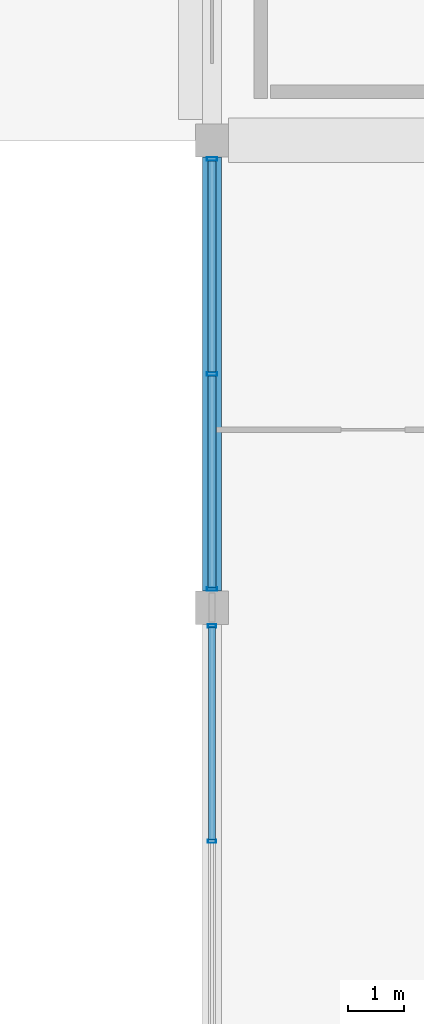
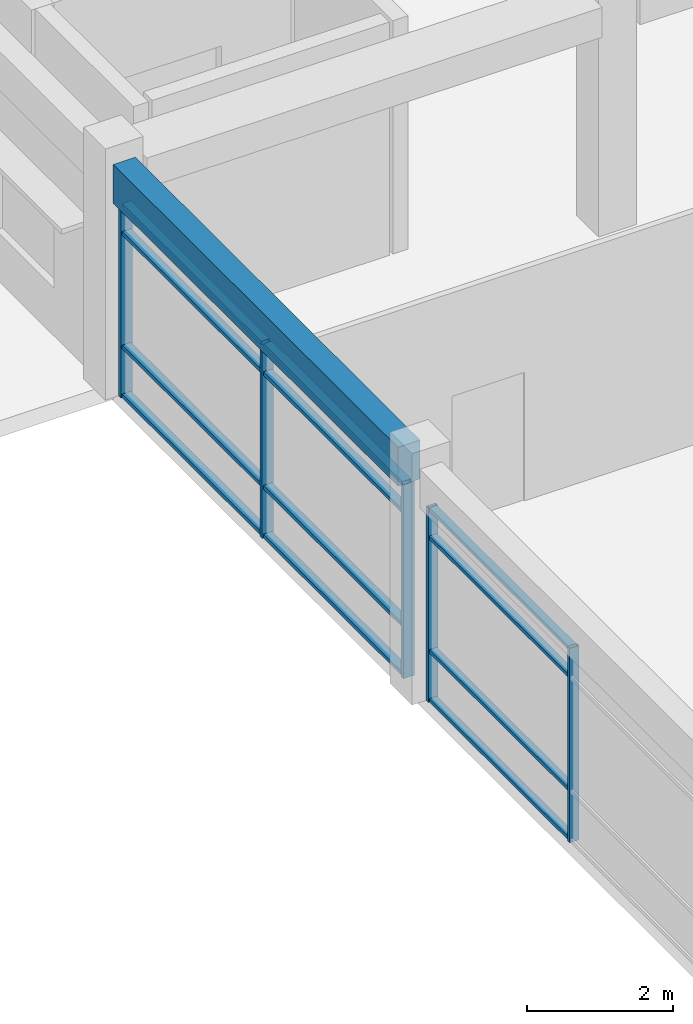
# One storey, part 10 of 32: 17 members, 1 beam, 2 elements without a shape of their own.
"""IFC4 building model written with IfcOpenShell, lengths in metres."""

from ifc_helpers import new_model, si_unit, direction, frame, origin, origin_2d, place, context, subcontext, project, spatial, rectangle, hollow_rectangle, extrude, material, material_profile, profile_set, type_object, element, aggregate, save


model = new_model("IFC4")

# Units and contexts
model_context = context("Model", 3, precision=1e-05, world=origin(), true_north=direction((0.0, 1.0)))
body_context = subcontext(model_context, "Body", "Model", "MODEL_VIEW")
ifc_project = project(units=[si_unit("LENGTHUNIT", "METRE"), si_unit("AREAUNIT", "SQUARE_METRE"), si_unit("VOLUMEUNIT", "CUBIC_METRE"), si_unit("PLANEANGLEUNIT", "RADIAN"), si_unit("MASSUNIT", "GRAM", prefix="KILO"), si_unit("THERMODYNAMICTEMPERATUREUNIT", "KELVIN"), si_unit("POWERUNIT", "WATT")], contexts=[model_context])

# Site, building, storey
site_placement = place(None, origin())
site = spatial("IfcSite", under=ifc_project, at=site_placement, CompositionType="ELEMENT")
building_placement = place(site_placement, origin())
building = spatial("IfcBuilding", under=site, at=building_placement, Name="Srebrne Nadtorze General Hospital", CompositionType="ELEMENT")
storey_placement = place(building_placement, frame((0.0, 0.0, 29.699951171875)))
storey = spatial("IfcBuildingStorey", under=building, at=storey_placement, Name="L07", CompositionType="ELEMENT", Elevation=29.699951171875)

# Curtain wall, members
ifc_material_1 = material(Name="Anodised Aluminium", Category="aluminium")
curtain_wall_type = type_object("IfcCurtainWallType", Name="Unitised curtain wall 7800x3250", PredefinedType="NOTDEFINED", material=ifc_material_1)
curtain_wall_1_placement = place(storey_placement, origin())
curtain_wall_1 = element("IfcCurtainWall", 1, at=curtain_wall_1_placement, inside=storey, type_object=curtain_wall_type, Name="Curtain wall CW-156", PredefinedType="NOTDEFINED")
ifc_material_2 = material(Name="Anodised Aluminium", Category="aluminium")
ifc_material_profile_1 = material_profile(ifc_material_2, hollow_rectangle(XDim=0.06005859375, YDim=0.14990234375, WallThickness=0.00390625, at=origin_2d()), Name="AL-MUL-60x150")
ifc_profile_set_1 = profile_set([ifc_material_profile_1], Name="Anodised Aluminium")
member_type_1 = type_object("IfcMemberType", Name="Curtain mullion 60x150", PredefinedType="MULLION", material=ifc_profile_set_1)
member_1_placement = place(storey_placement, frame((101.39990234375, 37.800048828125, 0.0), z_axis=(0.0, 0.0, 1.0), x_axis=(0.0, 1.0, 0.0)))
member_1 = element("IfcMember", 2, at=member_1_placement, type_object=member_type_1, Name="CW-156 mullion 2", PredefinedType="MULLION", context=body_context, shape_type="SweptSolid", body=[
    extrude(hollow_rectangle(XDim=0.06005859375, YDim=0.14990234375, WallThickness=0.00390625, at=origin_2d()), origin(), (0.0, 0.0, 1.0), 3.25),
])
member_2_placement = place(storey_placement, frame((101.39990234375, 41.669921875, 0.0), z_axis=(0.0, 0.0, 1.0), x_axis=(0.0, 1.0, 0.0)))
member_2 = element("IfcMember", 3, at=member_2_placement, type_object=member_type_1, Name="CW-156 mullion 3", PredefinedType="MULLION", context=body_context, shape_type="SweptSolid", body=[
    extrude(hollow_rectangle(XDim=0.06005859375, YDim=0.14990234375, WallThickness=0.00390625, at=origin_2d()), origin(), (0.0, 0.0, 1.0), 3.25),
])

curtain_wall_2_placement = place(storey_placement, origin())
curtain_wall_2 = element("IfcCurtainWall", 4, at=curtain_wall_2_placement, inside=storey, type_object=curtain_wall_type, Name="Curtain wall CW-157", PredefinedType="NOTDEFINED")
ifc_material_3 = material(Name="Anodised Aluminium", Category="aluminium")
ifc_material_profile_2 = material_profile(ifc_material_3, hollow_rectangle(XDim=0.06494140625, YDim=0.179931640625, WallThickness=0.00390625, at=origin_2d()), Name="AL-MUL-65x180")
ifc_profile_set_2 = profile_set([ifc_material_profile_2], Name="Anodised Aluminium")
member_type_2 = type_object("IfcMemberType", Name="Curtain mullion 65x180", PredefinedType="MULLION", material=ifc_profile_set_2)
member_3_placement = place(storey_placement, frame((101.39990234375, 42.33251953125, 0.0), z_axis=(0.0, 0.0, 1.0), x_axis=(0.0, 1.0, 0.0)))
member_3 = element("IfcMember", 5, at=member_3_placement, type_object=member_type_2, Name="CW-157 mullion 1", PredefinedType="MULLION", context=body_context, shape_type="SweptSolid", body=[
    extrude(hollow_rectangle(XDim=0.06494140625, YDim=0.179931640625, WallThickness=0.00390625, at=origin_2d()), origin(), (0.0, 0.0, 1.0), 3.25),
])
member_4_placement = place(storey_placement, frame((101.39990234375, 46.199951171875, 0.0), z_axis=(0.0, 0.0, 1.0), x_axis=(0.0, 1.0, 0.0)))
member_4 = element("IfcMember", 6, at=member_4_placement, type_object=member_type_2, Name="CW-157 mullion 2", PredefinedType="MULLION", context=body_context, shape_type="SweptSolid", body=[
    extrude(hollow_rectangle(XDim=0.06494140625, YDim=0.179931640625, WallThickness=0.00390625, at=origin_2d()), origin(), (0.0, 0.0, 1.0), 3.25),
])
member_5_placement = place(storey_placement, frame((101.39990234375, 50.0673828125, 0.0), z_axis=(0.0, 0.0, 1.0), x_axis=(0.0, 1.0, 0.0)))
member_5 = element("IfcMember", 7, at=member_5_placement, type_object=member_type_2, Name="CW-157 mullion 3", PredefinedType="MULLION", context=body_context, shape_type="SweptSolid", body=[
    extrude(hollow_rectangle(XDim=0.06494140625, YDim=0.179931640625, WallThickness=0.00390625, at=origin_2d()), origin(), (0.0, 0.0, 1.0), 3.25),
])

# Member
ifc_material_4 = material(Name="Anodised Aluminium", Category="aluminium")
ifc_material_profile_3 = material_profile(ifc_material_4, hollow_rectangle(XDim=0.06005859375, YDim=0.1201171875, WallThickness=0.00390625, at=origin_2d()), Name="AL-TRN-60x120")
ifc_profile_set_3 = profile_set([ifc_material_profile_3], Name="Anodised Aluminium")
member_type_3 = type_object("IfcMemberType", Name="Curtain transom 60x120", PredefinedType="USERDEFINED", material=ifc_profile_set_3)
member_6_placement = place(storey_placement, frame((101.39990234375, 37.830078125, 0.030029296875), z_axis=(0.0, 1.0, 0.0), x_axis=(0.0, 0.0, 1.0)))
member_6 = element("IfcMember", 8, at=member_6_placement, type_object=member_type_3, Name="CW-156 transom 2.1", ObjectType="TRANSOM", PredefinedType="USERDEFINED", context=body_context, shape_type="SweptSolid", body=[
    extrude(hollow_rectangle(XDim=0.06005859375, YDim=0.1201171875, WallThickness=0.00390625, at=origin_2d()), origin(), (0.0, 0.0, 1.0), 3.809814453125),
])

member_7_placement = place(storey_placement, frame((101.39990234375, 37.830078125, 0.85009765625), z_axis=(0.0, 1.0, 0.0), x_axis=(0.0, 0.0, 1.0)))
member_7 = element("IfcMember", 9, at=member_7_placement, type_object=member_type_3, Name="CW-156 transom 2.2", ObjectType="TRANSOM", PredefinedType="USERDEFINED", context=body_context, shape_type="SweptSolid", body=[
    extrude(hollow_rectangle(XDim=0.06005859375, YDim=0.1201171875, WallThickness=0.00390625, at=origin_2d()), origin(), (0.0, 0.0, 1.0), 3.809814453125),
])

member_8_placement = place(storey_placement, frame((101.39990234375, 37.830078125, 2.75), z_axis=(0.0, 1.0, 0.0), x_axis=(0.0, 0.0, 1.0)))
member_8 = element("IfcMember", 10, at=member_8_placement, type_object=member_type_3, Name="CW-156 transom 2.3", ObjectType="TRANSOM", PredefinedType="USERDEFINED", context=body_context, shape_type="SweptSolid", body=[
    extrude(hollow_rectangle(XDim=0.06005859375, YDim=0.1201171875, WallThickness=0.00390625, at=origin_2d()), origin(), (0.0, 0.0, 1.0), 3.809814453125),
])

member_9_placement = place(storey_placement, frame((101.39990234375, 37.830078125, 3.219970703125), z_axis=(0.0, 1.0, 0.0), x_axis=(0.0, 0.0, 1.0)))
member_9 = element("IfcMember", 11, at=member_9_placement, type_object=member_type_3, Name="CW-156 transom 2.4", ObjectType="TRANSOM", PredefinedType="USERDEFINED", context=body_context, shape_type="SweptSolid", body=[
    extrude(hollow_rectangle(XDim=0.06005859375, YDim=0.1201171875, WallThickness=0.00390625, at=origin_2d()), origin(), (0.0, 0.0, 1.0), 3.809814453125),
])

aggregate(curtain_wall_1, [member_1, member_2, member_6, member_7, member_8, member_9])

ifc_material_5 = material(Name="Anodised Aluminium", Category="aluminium")
ifc_material_profile_4 = material_profile(ifc_material_5, hollow_rectangle(XDim=0.06494140625, YDim=0.139892578125, WallThickness=0.00390625, at=origin_2d()), Name="AL-TRN-65x140")
ifc_profile_set_4 = profile_set([ifc_material_profile_4], Name="Anodised Aluminium")
member_type_4 = type_object("IfcMemberType", Name="Curtain transom 65x140", PredefinedType="USERDEFINED", material=ifc_profile_set_4)
member_10_placement = place(storey_placement, frame((101.39990234375, 42.364990234375, 0.032470703125), z_axis=(0.0, 1.0, 0.0), x_axis=(0.0, 0.0, 1.0)))
member_10 = element("IfcMember", 12, at=member_10_placement, type_object=member_type_4, Name="CW-157 transom 1.1", ObjectType="TRANSOM", PredefinedType="USERDEFINED", context=body_context, shape_type="SweptSolid", body=[
    extrude(hollow_rectangle(XDim=0.06494140625, YDim=0.139892578125, WallThickness=0.00390625, at=origin_2d()), origin(), (0.0, 0.0, 1.0), 3.802490234375),
])

member_11_placement = place(storey_placement, frame((101.39990234375, 42.364990234375, 0.85009765625), z_axis=(0.0, 1.0, 0.0), x_axis=(0.0, 0.0, 1.0)))
member_11 = element("IfcMember", 13, at=member_11_placement, type_object=member_type_4, Name="CW-157 transom 1.2", ObjectType="TRANSOM", PredefinedType="USERDEFINED", context=body_context, shape_type="SweptSolid", body=[
    extrude(hollow_rectangle(XDim=0.06494140625, YDim=0.139892578125, WallThickness=0.00390625, at=origin_2d()), origin(), (0.0, 0.0, 1.0), 3.802490234375),
])

member_12_placement = place(storey_placement, frame((101.39990234375, 42.364990234375, 2.75), z_axis=(0.0, 1.0, 0.0), x_axis=(0.0, 0.0, 1.0)))
member_12 = element("IfcMember", 14, at=member_12_placement, type_object=member_type_4, Name="CW-157 transom 1.3", ObjectType="TRANSOM", PredefinedType="USERDEFINED", context=body_context, shape_type="SweptSolid", body=[
    extrude(hollow_rectangle(XDim=0.06494140625, YDim=0.139892578125, WallThickness=0.00390625, at=origin_2d()), origin(), (0.0, 0.0, 1.0), 3.802490234375),
])

member_13_placement = place(storey_placement, frame((101.39990234375, 42.364990234375, 3.217529296875), z_axis=(0.0, 1.0, 0.0), x_axis=(0.0, 0.0, 1.0)))
member_13 = element("IfcMember", 15, at=member_13_placement, type_object=member_type_4, Name="CW-157 transom 1.4", ObjectType="TRANSOM", PredefinedType="USERDEFINED", context=body_context, shape_type="SweptSolid", body=[
    extrude(hollow_rectangle(XDim=0.06494140625, YDim=0.139892578125, WallThickness=0.00390625, at=origin_2d()), origin(), (0.0, 0.0, 1.0), 3.802490234375),
])

member_14_placement = place(storey_placement, frame((101.39990234375, 46.232421875, 0.032470703125), z_axis=(0.0, 1.0, 0.0), x_axis=(0.0, 0.0, 1.0)))
member_14 = element("IfcMember", 16, at=member_14_placement, type_object=member_type_4, Name="CW-157 transom 2.1", ObjectType="TRANSOM", PredefinedType="USERDEFINED", context=body_context, shape_type="SweptSolid", body=[
    extrude(hollow_rectangle(XDim=0.06494140625, YDim=0.139892578125, WallThickness=0.00390625, at=origin_2d()), origin(), (0.0, 0.0, 1.0), 3.802490234375),
])

member_15_placement = place(storey_placement, frame((101.39990234375, 46.232421875, 0.85009765625), z_axis=(0.0, 1.0, 0.0), x_axis=(0.0, 0.0, 1.0)))
member_15 = element("IfcMember", 17, at=member_15_placement, type_object=member_type_4, Name="CW-157 transom 2.2", ObjectType="TRANSOM", PredefinedType="USERDEFINED", context=body_context, shape_type="SweptSolid", body=[
    extrude(hollow_rectangle(XDim=0.06494140625, YDim=0.139892578125, WallThickness=0.00390625, at=origin_2d()), origin(), (0.0, 0.0, 1.0), 3.802490234375),
])

member_16_placement = place(storey_placement, frame((101.39990234375, 46.232421875, 2.75), z_axis=(0.0, 1.0, 0.0), x_axis=(0.0, 0.0, 1.0)))
member_16 = element("IfcMember", 18, at=member_16_placement, type_object=member_type_4, Name="CW-157 transom 2.3", ObjectType="TRANSOM", PredefinedType="USERDEFINED", context=body_context, shape_type="SweptSolid", body=[
    extrude(hollow_rectangle(XDim=0.06494140625, YDim=0.139892578125, WallThickness=0.00390625, at=origin_2d()), origin(), (0.0, 0.0, 1.0), 3.802490234375),
])

member_17_placement = place(storey_placement, frame((101.39990234375, 46.232421875, 3.217529296875), z_axis=(0.0, 1.0, 0.0), x_axis=(0.0, 0.0, 1.0)))
member_17 = element("IfcMember", 19, at=member_17_placement, type_object=member_type_4, Name="CW-157 transom 2.4", ObjectType="TRANSOM", PredefinedType="USERDEFINED", context=body_context, shape_type="SweptSolid", body=[
    extrude(hollow_rectangle(XDim=0.06494140625, YDim=0.139892578125, WallThickness=0.00390625, at=origin_2d()), origin(), (0.0, 0.0, 1.0), 3.802490234375),
])

aggregate(curtain_wall_2, [member_3, member_4, member_5, member_10, member_11, member_12, member_13, member_14, member_15, member_16, member_17])

# Beam
ifc_material_6 = material(Name="Concrete C35/45", Category="concrete")
ifc_material_profile_5 = material_profile(ifc_material_6, rectangle(XDim=0.35009765625, YDim=0.64990234375, at=origin_2d()), Name="RC-BM-350x650")
ifc_profile_set_5 = profile_set([ifc_material_profile_5], Name="Concrete C35/45")
beam_type = type_object("IfcBeamType", Name="Edge beam RC 350x650", PredefinedType="BEAM", material=ifc_profile_set_5)
beam_placement = place(storey_placement, frame((101.39990234375, 42.300048828125, 3.574951171875), z_axis=(0.0, 1.0, 0.0), x_axis=(-1.0, 0.0, 0.0)))
element("IfcBeam", 20, at=beam_placement, inside=storey, type_object=beam_type, Name="Beam BM-L07-Y-1313", PredefinedType="BEAM", context=body_context, shape_type="SweptSolid", body=[
    extrude(rectangle(XDim=0.35009765625, YDim=0.64990234375, at=origin_2d()), origin(), (0.0, 0.0, 1.0), 7.800048828125),
])

save(model, "model.ifc")
